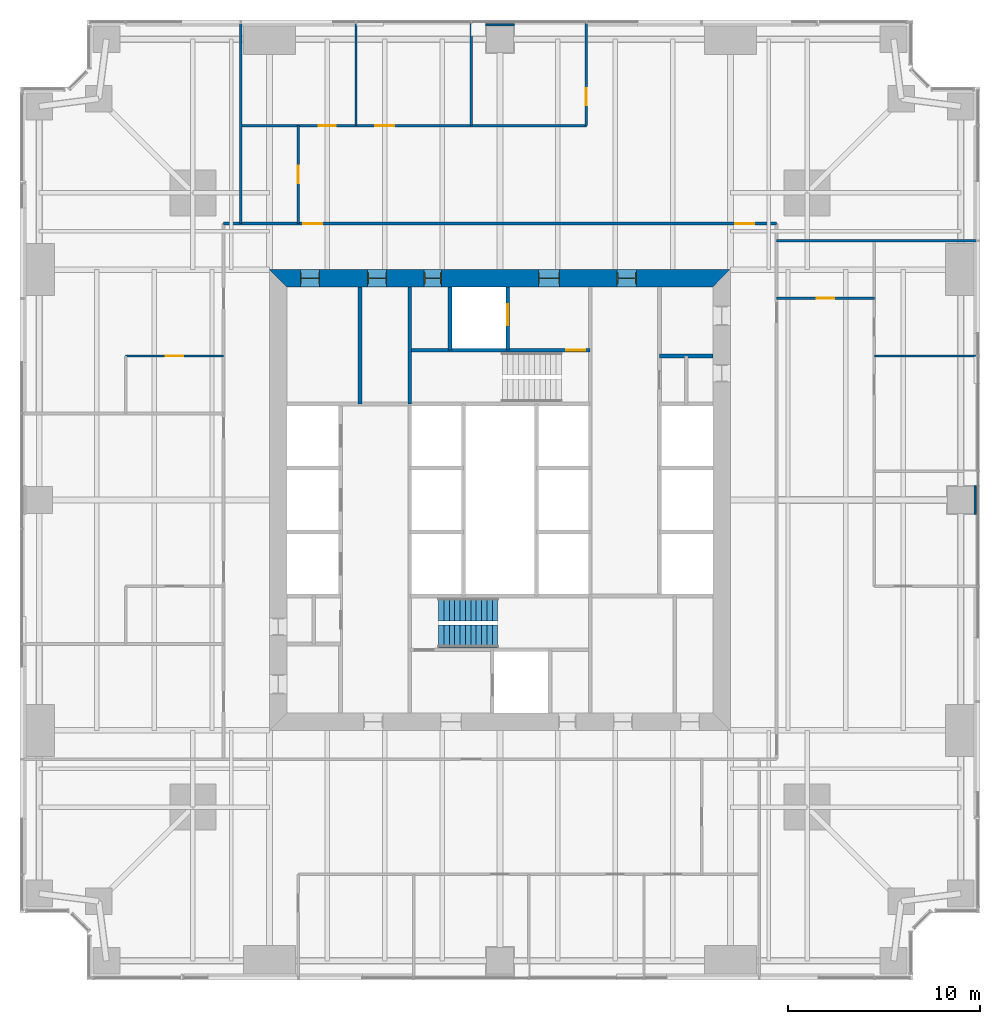
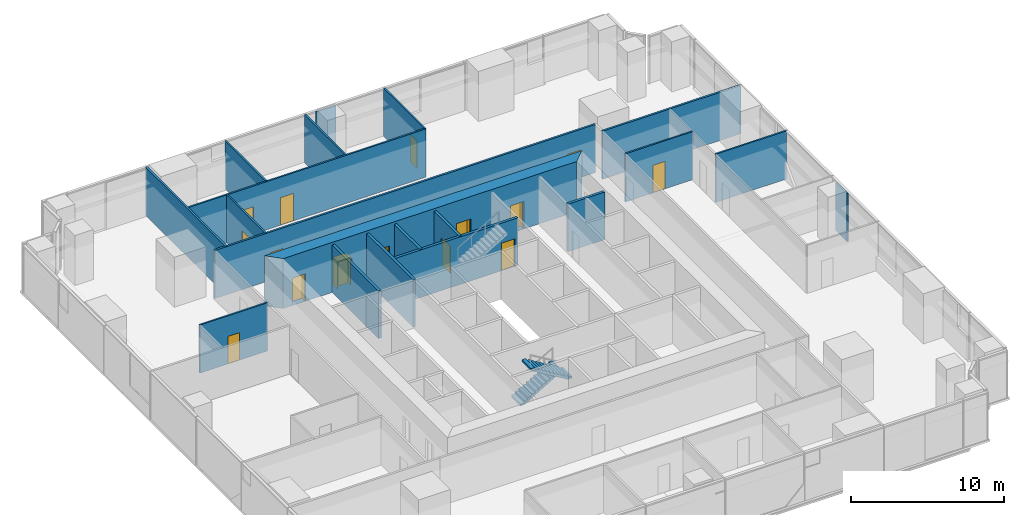
# One storey, part 11 of 16: 20 walls, 15 doors, 2 stair flights, 15 openings, 1 element without a shape of its own.
"""IFC4 building model written with IfcOpenShell, lengths in metres."""

from ifc_helpers import new_model, si_unit, direction, frame, frame_2d, origin, place, context, subcontext, project, spatial, polyline, rectangle, outline, extrude, material, layer, layer_set, type_object, element, fill, aggregate, save


model = new_model("IFC4")

# Units and contexts
model_context = context("Model", 3, precision=1e-05, world=origin(), true_north=direction((0.0, 1.0)))
body_context = subcontext(model_context, "Body", "Model", "MODEL_VIEW")
ifc_project = project(units=[si_unit("LENGTHUNIT", "METRE"), si_unit("AREAUNIT", "SQUARE_METRE"), si_unit("VOLUMEUNIT", "CUBIC_METRE"), si_unit("PLANEANGLEUNIT", "RADIAN"), si_unit("MASSUNIT", "GRAM", prefix="KILO")], contexts=[model_context])

# Site, building, storey
site_placement = place(None, origin())
site = spatial("IfcSite", under=ifc_project, at=site_placement, CompositionType="ELEMENT")
building_placement = place(site_placement, origin())
building = spatial("IfcBuilding", under=site, at=building_placement, Name="Fenwick Lantern Interchange", CompositionType="ELEMENT")
storey_placement = place(building_placement, frame((0.0, 0.0, 75.0)))
storey = spatial("IfcBuildingStorey", under=building, at=storey_placement, Name="L17", CompositionType="ELEMENT", Elevation=75.0)

# Walls
ifc_material_1 = material(Name="Fire-rated gypsum board encasement on steel studs, 2 hour", Category="steel")
ifc_layer_1 = layer(ifc_material_1, 1.5)
ifc_layer_set_1 = layer_set([ifc_layer_1], Name="COLUMN PIER 1500")
wall_type_1 = type_object("IfcWallType", Name="COLUMN PIER 1500", PredefinedType="PARTITIONING", material=ifc_layer_set_1)
for number, where, z_axis, x_axis, name in (
    (1, (49.800048828125, 25.0, 0.0), (0.0, 0.0, 1.0), (-1.0, 0.0, 0.0), "L17/W/PIER/CE3"),
    (2, (25.0, 49.800048828125, 0.0), (0.0, 0.0, 1.0), (0.0, -1.0, 0.0), "L17/W/PIER/CN3"),
):
    element("IfcWall", number, at=place(storey_placement, frame(where, z_axis=z_axis, x_axis=x_axis)), inside=storey, type_object=wall_type_1, Name=name, PredefinedType="PARTITIONING", context=body_context, shape_type="SweptSolid", body=[
        extrude(rectangle(XDim=0.10009765625, YDim=1.5, at=frame_2d((0.050048828125, 0.0))), origin(), (0.0, 0.0, 1.0), 3.85009765625),
    ])

# Wall, opening, door
ifc_material_2 = material(Name="Concrete masonry ASTM C90 Grade N", Category="masonry")
ifc_layer_2 = layer(ifc_material_2, 0.199951171875)
ifc_layer_set_2 = layer_set([ifc_layer_2], Name="Concrete masonry ASTM C90 Grade N")
wall_type_2 = type_object("IfcWallType", Name="CORE PARTITION 200", PredefinedType="PARTITIONING", material=ifc_layer_set_2)
wall_1_placement = place(storey_placement, frame((25.39990234375, 36.10009765625, 0.0), z_axis=(0.0, 0.0, 1.0), x_axis=(0.0, -1.0, 0.0)))
wall_1 = element("IfcWall", 3, at=wall_1_placement, inside=storey, type_object=wall_type_2, Name="L17/W/COREN/h1", PredefinedType="PARTITIONING", context=body_context, shape_type="SweptSolid", body=[
    extrude(rectangle(XDim=3.300048828125, YDim=0.199951171875, at=frame_2d((1.64990234375, 0.0))), origin(), (0.0, 0.0, 1.0), 3.800048828125),
])
opening_1_placement = place(wall_1_placement, frame((0.89990234375, 0.0, 0.0)))
opening_1 = element("IfcOpeningElement", 4, at=opening_1_placement, cuts=wall_1, Name="Opening LD-FL2", PredefinedType="OPENING", context=body_context, shape_type="SweptSolid", body=[
    extrude(rectangle(XDim=1.10009765625, YDim=2.199951171875, at=frame_2d((0.550048828125, 1.10009765625))), frame((0.0, 0.10986328125, 0.0), z_axis=(0.0, -1.0, 0.0), x_axis=(1.0, 0.0, 0.0)), (0.0, 0.0, 1.0), 0.219970703125),
])
ifc_material_3 = material(Name="Steel door and frame", Category="steel")
door_type_1 = type_object("IfcDoorType", Name="LIFT LANDING DOOR 1100 X 2200", OperationType="DOUBLE_DOOR_SLIDING", PredefinedType="DOOR", material=ifc_material_3)
door_1_placement = place(opening_1_placement, origin())
door_1 = element("IfcDoor", 5, at=door_1_placement, inside=storey, type_object=door_type_1, Name="Lift landing door FL2", OperationType="DOUBLE_DOOR_SLIDING", OverallHeight=2.199951171875, OverallWidth=1.10009765625, PredefinedType="DOOR", context=body_context, shape_type="SweptSolid", body=[
    extrude(rectangle(XDim=1.10009765625, YDim=2.199951171875, at=frame_2d((0.550048828125, 1.10009765625))), frame((0.0, 0.02490234375, 0.0), z_axis=(0.0, -1.0, 0.0), x_axis=(1.0, 0.0, 0.0)), (0.0, 0.0, 1.0), 0.050048828125),
])
fill(opening_1, door_1)

# Walls
wall_2_placement = place(storey_placement, frame((22.39990234375, 36.10009765625, 0.0), z_axis=(0.0, 0.0, 1.0), x_axis=(0.0, -1.0, 0.0)))
element("IfcWall", 6, at=wall_2_placement, inside=storey, type_object=wall_type_2, Name="L17/W/COREN/h2", PredefinedType="PARTITIONING", context=body_context, shape_type="SweptSolid", body=[
    extrude(rectangle(XDim=3.300048828125, YDim=0.199951171875, at=frame_2d((1.64990234375, 0.0))), origin(), (0.0, 0.0, 1.0), 3.800048828125),
])
wall_3_placement = place(storey_placement, frame((17.699951171875, 36.10009765625, 0.0), z_axis=(0.0, 0.0, 1.0), x_axis=(0.0, -1.0, 0.0)))
element("IfcWall", 7, at=wall_3_placement, inside=storey, type_object=wall_type_2, Name="L17/W/COREN/i2", PredefinedType="PARTITIONING", context=body_context, shape_type="SweptSolid", body=[
    extrude(rectangle(XDim=6.10009765625, YDim=0.199951171875, at=frame_2d((3.050048828125, 0.0))), origin(), (0.0, 0.0, 1.0), 3.800048828125),
])
wall_4_placement = place(storey_placement, frame((36.10009765625, 32.5, 0.0), z_axis=(0.0, 0.0, 1.0), x_axis=(-1.0, 0.0, 0.0)))
element("IfcWall", 8, at=wall_4_placement, inside=storey, type_object=wall_type_2, Name="L17/W/COREN/p1", PredefinedType="PARTITIONING", context=body_context, shape_type="SweptSolid", body=[
    extrude(rectangle(XDim=2.800048828125, YDim=0.199951171875, at=frame_2d((1.39990234375, 0.0))), origin(), (0.0, 0.0, 1.0), 3.800048828125),
])

# Wall, openings, doors
ifc_material_4 = material(Name="Concrete f'c 70 MPa", Category="concrete")
ifc_layer_3 = layer(ifc_material_4, 0.89990234375)
ifc_layer_set_3 = layer_set([ifc_layer_3], Name="CORE WALL 900")
wall_type_3 = type_object("IfcWallType", Name="CORE WALL 900", PredefinedType="SHEAR", material=ifc_layer_set_3)
wall_5_placement = place(storey_placement, frame((37.0, 36.550048828125, 0.0), z_axis=(0.0, 0.0, 1.0), x_axis=(-1.0, 0.0, 0.0)))
wall_5 = element("IfcWall", 9, at=wall_5_placement, inside=storey, type_object=wall_type_3, Name="L17/CORE/N", PredefinedType="SHEAR", context=body_context, shape_type="SweptSolid", body=[
    extrude(outline(polyline([(0.0, -0.449951171875), (24.0, -0.449951171875), (23.10009765625, 0.449951171875), (0.89990234375, 0.449951171875), (0.0, -0.449951171875)])), origin(), (0.0, 0.0, 1.0), 4.0),
])
opening_2_placement = place(wall_5_placement, frame((4.89990234375, 0.0, 0.0)))
opening_2 = element("IfcOpeningElement", 10, at=opening_2_placement, cuts=wall_5, Name="Opening L17-D010", PredefinedType="OPENING", context=body_context, shape_type="SweptSolid", body=[
    extrude(rectangle(XDim=1.0, YDim=2.199951171875, at=frame_2d((0.5, 1.10009765625))), frame((0.0, 0.4599609375, 0.0), z_axis=(0.0, -1.0, 0.0), x_axis=(1.0, 0.0, 0.0)), (0.0, 0.0, 1.0), 0.919921875),
])
opening_3_placement = place(wall_5_placement, frame((8.89990234375, 0.0, 0.0)))
opening_3 = element("IfcOpeningElement", 11, at=opening_3_placement, cuts=wall_5, Name="Opening L17-D011", PredefinedType="OPENING", context=body_context, shape_type="SweptSolid", body=[
    extrude(rectangle(XDim=1.10009765625, YDim=2.199951171875, at=frame_2d((0.550048828125, 1.10009765625))), frame((0.0, 0.4599609375, 0.0), z_axis=(0.0, -1.0, 0.0), x_axis=(1.0, 0.0, 0.0)), (0.0, 0.0, 1.0), 0.919921875),
])
opening_4_placement = place(wall_5_placement, frame((15.050048828125, 0.0, 0.0)))
opening_4 = element("IfcOpeningElement", 12, at=opening_4_placement, cuts=wall_5, Name="Opening L17-D013", PredefinedType="OPENING", context=body_context, shape_type="SweptSolid", body=[
    extrude(rectangle(XDim=0.89990234375, YDim=2.199951171875, at=frame_2d((0.449951171875, 1.10009765625))), frame((0.0, 0.4599609375, 0.0), z_axis=(0.0, -1.0, 0.0), x_axis=(1.0, 0.0, 0.0)), (0.0, 0.0, 1.0), 0.919921875),
])
opening_5_placement = place(wall_5_placement, frame((17.89990234375, 0.0, 0.0)))
opening_5 = element("IfcOpeningElement", 13, at=opening_5_placement, cuts=wall_5, Name="Opening L17-D014", PredefinedType="OPENING", context=body_context, shape_type="SweptSolid", body=[
    extrude(rectangle(XDim=1.0, YDim=2.199951171875, at=frame_2d((0.5, 1.10009765625))), frame((0.0, 0.4599609375, 0.0), z_axis=(0.0, -1.0, 0.0), x_axis=(1.0, 0.0, 0.0)), (0.0, 0.0, 1.0), 0.919921875),
])
opening_6_placement = place(wall_5_placement, frame((21.39990234375, 0.0, 0.0)))
opening_6 = element("IfcOpeningElement", 14, at=opening_6_placement, cuts=wall_5, Name="Opening L17-D015", PredefinedType="OPENING", context=body_context, shape_type="SweptSolid", body=[
    extrude(rectangle(XDim=1.0, YDim=2.199951171875, at=frame_2d((0.5, 1.10009765625))), frame((0.0, 0.4599609375, 0.0), z_axis=(0.0, -1.0, 0.0), x_axis=(1.0, 0.0, 0.0)), (0.0, 0.0, 1.0), 0.919921875),
])
door_type_2 = type_object("IfcDoorType", Name="CORE LOBBY DOOR 1000 X 2200", OperationType="SINGLE_SWING_LEFT", PredefinedType="DOOR", material=ifc_material_3)
door_2_placement = place(opening_2_placement, origin())
door_2 = element("IfcDoor", 15, at=door_2_placement, inside=storey, type_object=door_type_2, Name="Core lobby door", OperationType="SINGLE_SWING_LEFT", OverallHeight=2.199951171875, OverallWidth=1.0, PredefinedType="DOOR", context=body_context, shape_type="SweptSolid", body=[
    extrude(rectangle(XDim=1.0, YDim=2.199951171875, at=frame_2d((0.5, 1.10009765625))), frame((0.0, 0.02490234375, 0.0), z_axis=(0.0, -1.0, 0.0), x_axis=(1.0, 0.0, 0.0)), (0.0, 0.0, 1.0), 0.050048828125),
    extrude(outline(polyline([(0.0, 0.0), (0.0400390625, 0.0), (0.0400390625, 2.159912109375), (0.9599609375, 2.159912109375), (0.9599609375, 0.0), (1.0, 0.0), (1.0, 2.199951171875), (0.0, 2.199951171875), (0.0, 0.0)])), frame((0.0, 0.300048828125, 0.0), z_axis=(0.0, -1.0, 0.0), x_axis=(1.0, 0.0, 0.0)), (0.0, 0.0, 1.0), 0.60009765625),
])
fill(opening_2, door_2)
door_type_3 = type_object("IfcDoorType", Name="FIRE LOBBY DOOR 1100 X 2200", OperationType="SINGLE_SWING_LEFT", PredefinedType="DOOR", material=ifc_material_3)
door_3_placement = place(opening_3_placement, origin())
door_3 = element("IfcDoor", 16, at=door_3_placement, inside=storey, type_object=door_type_3, Name="Fire lobby door", OperationType="SINGLE_SWING_LEFT", OverallHeight=2.199951171875, OverallWidth=1.10009765625, PredefinedType="DOOR", context=body_context, shape_type="SweptSolid", body=[
    extrude(rectangle(XDim=1.10009765625, YDim=2.199951171875, at=frame_2d((0.550048828125, 1.10009765625))), frame((0.0, 0.02490234375, 0.0), z_axis=(0.0, -1.0, 0.0), x_axis=(1.0, 0.0, 0.0)), (0.0, 0.0, 1.0), 0.050048828125),
    extrude(outline(polyline([(0.0, 0.0), (0.0400390625, 0.0), (0.0400390625, 2.159912109375), (1.06005859375, 2.159912109375), (1.06005859375, 0.0), (1.10009765625, 0.0), (1.10009765625, 2.199951171875), (0.0, 2.199951171875), (0.0, 0.0)])), frame((0.0, 0.300048828125, 0.0), z_axis=(0.0, -1.0, 0.0), x_axis=(1.0, 0.0, 0.0)), (0.0, 0.0, 1.0), 0.60009765625),
])
fill(opening_3, door_3)
door_type_4 = type_object("IfcDoorType", Name="SERVICE DOOR 900 X 2200", OperationType="SINGLE_SWING_LEFT", PredefinedType="DOOR", material=ifc_material_3)
door_4_placement = place(opening_4_placement, origin())
door_4 = element("IfcDoor", 17, at=door_4_placement, inside=storey, type_object=door_type_4, Name="Service door", OperationType="SINGLE_SWING_LEFT", OverallHeight=2.199951171875, OverallWidth=0.89990234375, PredefinedType="DOOR", context=body_context, shape_type="SweptSolid", body=[
    extrude(rectangle(XDim=0.89990234375, YDim=2.199951171875, at=frame_2d((0.449951171875, 1.10009765625))), frame((0.0, 0.02490234375, 0.0), z_axis=(0.0, -1.0, 0.0), x_axis=(1.0, 0.0, 0.0)), (0.0, 0.0, 1.0), 0.050048828125),
    extrude(outline(polyline([(0.0, 0.0), (0.0400390625, 0.0), (0.0400390625, 2.159912109375), (0.85986328125, 2.159912109375), (0.85986328125, 0.0), (0.89990234375, 0.0), (0.89990234375, 2.199951171875), (0.0, 2.199951171875), (0.0, 0.0)])), frame((0.0, 0.300048828125, 0.0), z_axis=(0.0, -1.0, 0.0), x_axis=(1.0, 0.0, 0.0)), (0.0, 0.0, 1.0), 0.60009765625),
])
fill(opening_4, door_4)
ifc_material_5 = material(Name="Hardwood door and steel frame", Category="steel")
door_type_5 = type_object("IfcDoorType", Name="WC DOOR 1000 X 2200", OperationType="SINGLE_SWING_LEFT", PredefinedType="DOOR", material=ifc_material_5)
door_5_placement = place(opening_5_placement, origin())
door_5 = element("IfcDoor", 18, at=door_5_placement, inside=storey, type_object=door_type_5, Name="Wc door", OperationType="SINGLE_SWING_RIGHT", OverallHeight=2.199951171875, OverallWidth=1.0, PredefinedType="DOOR", context=body_context, shape_type="SweptSolid", body=[
    extrude(rectangle(XDim=1.0, YDim=2.199951171875, at=frame_2d((0.5, 1.10009765625))), frame((0.0, 0.02490234375, 0.0), z_axis=(0.0, -1.0, 0.0), x_axis=(1.0, 0.0, 0.0)), (0.0, 0.0, 1.0), 0.050048828125),
    extrude(outline(polyline([(0.0, 0.0), (0.0400390625, 0.0), (0.0400390625, 2.159912109375), (0.9599609375, 2.159912109375), (0.9599609375, 0.0), (1.0, 0.0), (1.0, 2.199951171875), (0.0, 2.199951171875), (0.0, 0.0)])), frame((0.0, 0.300048828125, 0.0), z_axis=(0.0, -1.0, 0.0), x_axis=(1.0, 0.0, 0.0)), (0.0, 0.0, 1.0), 0.60009765625),
])
fill(opening_5, door_5)
door_6_placement = place(opening_6_placement, origin())
door_6 = element("IfcDoor", 19, at=door_6_placement, inside=storey, type_object=door_type_5, Name="Wc door", OperationType="SINGLE_SWING_RIGHT", OverallHeight=2.199951171875, OverallWidth=1.0, PredefinedType="DOOR", context=body_context, shape_type="SweptSolid", body=[
    extrude(rectangle(XDim=1.0, YDim=2.199951171875, at=frame_2d((0.5, 1.10009765625))), frame((0.0, 0.02490234375, 0.0), z_axis=(0.0, -1.0, 0.0), x_axis=(1.0, 0.0, 0.0)), (0.0, 0.0, 1.0), 0.050048828125),
    extrude(outline(polyline([(0.0, 0.0), (0.0400390625, 0.0), (0.0400390625, 2.159912109375), (0.9599609375, 2.159912109375), (0.9599609375, 0.0), (1.0, 0.0), (1.0, 2.199951171875), (0.0, 2.199951171875), (0.0, 0.0)])), frame((0.0, 0.300048828125, 0.0), z_axis=(0.0, -1.0, 0.0), x_axis=(1.0, 0.0, 0.0)), (0.0, 0.0, 1.0), 0.60009765625),
])
fill(opening_6, door_6)

ifc_material_6 = material(Name="Gypsum board on steel studs, 1 hour", Category="steel")
ifc_layer_4 = layer(ifc_material_6, 0.14990234375)
ifc_layer_set_4 = layer_set([ifc_layer_4], Name="CORRIDOR WALL 150")
wall_type_4 = type_object("IfcWallType", Name="CORRIDOR WALL 150", PredefinedType="PARTITIONING", material=ifc_layer_set_4)
wall_6_placement = place(storey_placement, frame((39.39990234375, 39.39990234375, 0.0), z_axis=(0.0, 0.0, 1.0), x_axis=(-1.0, 0.0, 0.0)))
wall_6 = element("IfcWall", 20, at=wall_6_placement, inside=storey, type_object=wall_type_4, Name="L17/W/OFF/N/CW2", PredefinedType="PARTITIONING", context=body_context, shape_type="SweptSolid", body=[
    extrude(rectangle(XDim=28.7998046875, YDim=0.14990234375, at=frame_2d((14.39990234375, 0.0))), origin(), (0.0, 0.0, 1.0), 3.85009765625),
])
opening_7_placement = place(wall_6_placement, frame((1.14990234375, 0.0, 0.0)))
opening_7 = element("IfcOpeningElement", 21, at=opening_7_placement, cuts=wall_6, Name="Opening L17-D031", PredefinedType="OPENING", context=body_context, shape_type="SweptSolid", body=[
    extrude(rectangle(XDim=1.0, YDim=2.199951171875, at=frame_2d((0.5, 1.10009765625))), frame((0.0, 0.0849609375, 0.0), z_axis=(0.0, -1.0, 0.0), x_axis=(1.0, 0.0, 0.0)), (0.0, 0.0, 1.0), 0.169921875),
])
opening_8_placement = place(wall_6_placement, frame((23.64990234375, 0.0, 0.0)))
opening_8 = element("IfcOpeningElement", 22, at=opening_8_placement, cuts=wall_6, Name="Opening L17-D032", PredefinedType="OPENING", context=body_context, shape_type="SweptSolid", body=[
    extrude(rectangle(XDim=1.0, YDim=2.199951171875, at=frame_2d((0.5, 1.10009765625))), frame((0.0, 0.0849609375, 0.0), z_axis=(0.0, -1.0, 0.0), x_axis=(1.0, 0.0, 0.0)), (0.0, 0.0, 1.0), 0.169921875),
])
door_type_6 = type_object("IfcDoorType", Name="SUITE ENTRANCE DOOR 1000 X 2200", OperationType="SINGLE_SWING_LEFT", PredefinedType="DOOR", material=ifc_material_3)
door_7_placement = place(opening_7_placement, origin())
door_7 = element("IfcDoor", 23, at=door_7_placement, inside=storey, type_object=door_type_6, Name="Suite entrance door", OperationType="SINGLE_SWING_LEFT", OverallHeight=2.199951171875, OverallWidth=1.0, PredefinedType="DOOR", context=body_context, shape_type="SweptSolid", body=[
    extrude(rectangle(XDim=1.0, YDim=2.199951171875, at=frame_2d((0.5, 1.10009765625))), frame((0.0, 0.02490234375, 0.0), z_axis=(0.0, -1.0, 0.0), x_axis=(1.0, 0.0, 0.0)), (0.0, 0.0, 1.0), 0.050048828125),
])
fill(opening_7, door_7)
door_8_placement = place(opening_8_placement, origin())
door_8 = element("IfcDoor", 24, at=door_8_placement, inside=storey, type_object=door_type_6, Name="Suite entrance door", OperationType="SINGLE_SWING_RIGHT", OverallHeight=2.199951171875, OverallWidth=1.0, PredefinedType="DOOR", context=body_context, shape_type="SweptSolid", body=[
    extrude(rectangle(XDim=1.0, YDim=2.199951171875, at=frame_2d((0.5, 1.10009765625))), frame((0.0, 0.02490234375, 0.0), z_axis=(0.0, -1.0, 0.0), x_axis=(1.0, 0.0, 0.0)), (0.0, 0.0, 1.0), 0.050048828125),
])
fill(opening_8, door_8)

# Wall
ifc_material_7 = material(Name="Gypsum board on steel studs, acoustic", Category="steel")
ifc_layer_5 = layer(ifc_material_7, 0.125)
ifc_layer_set_5 = layer_set([ifc_layer_5], Name="OFFICE PARTITION 125")
wall_type_5 = type_object("IfcWallType", Name="OFFICE PARTITION 125", PredefinedType="PARTITIONING", material=ifc_layer_set_5)
wall_7_placement = place(storey_placement, frame((49.85009765625, 32.5, 0.0), z_axis=(0.0, 0.0, 1.0), x_axis=(-1.0, 0.0, 0.0)))
element("IfcWall", 25, at=wall_7_placement, inside=storey, type_object=wall_type_5, Name="L17/W/OFF/E/X325-1", PredefinedType="PARTITIONING", context=body_context, shape_type="SweptSolid", body=[
    extrude(rectangle(XDim=5.35009765625, YDim=0.125, at=frame_2d((2.675048828125, 0.0))), origin(), (0.0, 0.0, 1.0), 3.85009765625),
])

# Wall, opening, door
wall_8_placement = place(storey_placement, frame((44.5, 35.5, 0.0), z_axis=(0.0, 0.0, 1.0), x_axis=(-1.0, 0.0, 0.0)))
wall_8 = element("IfcWall", 26, at=wall_8_placement, inside=storey, type_object=wall_type_5, Name="L17/W/OFF/E/X355-1", PredefinedType="PARTITIONING", context=body_context, shape_type="SweptSolid", body=[
    extrude(rectangle(XDim=5.10009765625, YDim=0.125, at=frame_2d((2.550048828125, 0.0))), origin(), (0.0, 0.0, 1.0), 3.85009765625),
])
opening_9_placement = place(wall_8_placement, frame((2.10009765625, 0.0, 0.0)))
opening_9 = element("IfcOpeningElement", 27, at=opening_9_placement, cuts=wall_8, Name="Opening L17-D030", PredefinedType="OPENING", context=body_context, shape_type="SweptSolid", body=[
    extrude(rectangle(XDim=0.89990234375, YDim=2.199951171875, at=frame_2d((0.449951171875, 1.10009765625))), frame((0.0, 0.072509765625, 0.0), z_axis=(0.0, -1.0, 0.0), x_axis=(1.0, 0.0, 0.0)), (0.0, 0.0, 1.0), 0.14501953125),
])
door_type_7 = type_object("IfcDoorType", Name="OFFICE DOOR 900 X 2200", OperationType="SINGLE_SWING_LEFT", PredefinedType="DOOR", material=ifc_material_5)
door_9_placement = place(opening_9_placement, frame((0.89990234375, 0.0, 0.0), z_axis=(0.0, 0.0, 1.0), x_axis=(-1.0, 0.0, 0.0)))
door_9 = element("IfcDoor", 28, at=door_9_placement, inside=storey, type_object=door_type_7, Name="Office door", OperationType="SINGLE_SWING_RIGHT", OverallHeight=2.199951171875, OverallWidth=0.89990234375, PredefinedType="DOOR", context=body_context, shape_type="SweptSolid", body=[
    extrude(rectangle(XDim=0.89990234375, YDim=2.199951171875, at=frame_2d((0.449951171875, 1.10009765625))), frame((0.0, 0.02490234375, 0.0), z_axis=(0.0, -1.0, 0.0), x_axis=(1.0, 0.0, 0.0)), (0.0, 0.0, 1.0), 0.050048828125),
])
fill(opening_9, door_9)

wall_9_placement = place(storey_placement, frame((29.5, 49.85009765625, 0.0), z_axis=(0.0, 0.0, 1.0), x_axis=(0.0, -1.0, 0.0)))
wall_9 = element("IfcWall", 29, at=wall_9_placement, inside=storey, type_object=wall_type_5, Name="L17/W/OFF/N/X205-1", PredefinedType="PARTITIONING", context=body_context, shape_type="SweptSolid", body=[
    extrude(rectangle(XDim=5.35009765625, YDim=0.125, at=frame_2d((2.675048828125, 0.0))), origin(), (0.0, 0.0, 1.0), 3.85009765625),
])
opening_10_placement = place(wall_9_placement, frame((3.39990234375, 0.0, 0.0)))
opening_10 = element("IfcOpeningElement", 30, at=opening_10_placement, cuts=wall_9, Name="Opening L17-D033", PredefinedType="OPENING", context=body_context, shape_type="SweptSolid", body=[
    extrude(rectangle(XDim=0.89990234375, YDim=2.199951171875, at=frame_2d((0.449951171875, 1.10009765625))), frame((0.0, 0.072509765625, 0.0), z_axis=(0.0, -1.0, 0.0), x_axis=(1.0, 0.0, 0.0)), (0.0, 0.0, 1.0), 0.14501953125),
])
door_10_placement = place(opening_10_placement, frame((0.89990234375, 0.0, 0.0), z_axis=(0.0, 0.0, 1.0), x_axis=(-1.0, 0.0, 0.0)))
door_10 = element("IfcDoor", 31, at=door_10_placement, inside=storey, type_object=door_type_7, Name="Office door", OperationType="SINGLE_SWING_LEFT", OverallHeight=2.199951171875, OverallWidth=0.89990234375, PredefinedType="DOOR", context=body_context, shape_type="SweptSolid", body=[
    extrude(rectangle(XDim=0.89990234375, YDim=2.199951171875, at=frame_2d((0.449951171875, 1.10009765625))), frame((0.0, 0.02490234375, 0.0), z_axis=(0.0, -1.0, 0.0), x_axis=(1.0, 0.0, 0.0)), (0.0, 0.0, 1.0), 0.050048828125),
])
fill(opening_10, door_10)

# Walls
for number, where, z_axis, x_axis, name in (
    (32, (23.5, 49.85009765625, 0.0), (0.0, 0.0, 1.0), (0.0, -1.0, 0.0), "L17/W/OFF/N/X265-1"),
    (33, (17.5, 49.85009765625, 0.0), (0.0, 0.0, 1.0), (0.0, -1.0, 0.0), "L17/W/OFF/N/X325-1"),
):
    element("IfcWall", number, at=place(storey_placement, frame(where, z_axis=z_axis, x_axis=x_axis)), inside=storey, type_object=wall_type_5, Name=name, PredefinedType="PARTITIONING", context=body_context, shape_type="SweptSolid", body=[
        extrude(rectangle(XDim=5.35009765625, YDim=0.125, at=frame_2d((2.675048828125, 0.0))), origin(), (0.0, 0.0, 1.0), 3.85009765625),
    ])

# Wall, opening, door
wall_10_placement = place(storey_placement, frame((14.5, 44.5, 0.0), z_axis=(0.0, 0.0, 1.0), x_axis=(0.0, -1.0, 0.0)))
wall_10 = element("IfcWall", 34, at=wall_10_placement, inside=storey, type_object=wall_type_5, Name="L17/W/OFF/N/X355-1", PredefinedType="PARTITIONING", context=body_context, shape_type="SweptSolid", body=[
    extrude(rectangle(XDim=5.10009765625, YDim=0.125, at=frame_2d((2.550048828125, 0.0))), origin(), (0.0, 0.0, 1.0), 3.85009765625),
])
opening_11_placement = place(wall_10_placement, frame((2.10009765625, 0.0, 0.0)))
opening_11 = element("IfcOpeningElement", 35, at=opening_11_placement, cuts=wall_10, Name="Opening L17-D036", PredefinedType="OPENING", context=body_context, shape_type="SweptSolid", body=[
    extrude(rectangle(XDim=0.89990234375, YDim=2.199951171875, at=frame_2d((0.449951171875, 1.10009765625))), frame((0.0, 0.072509765625, 0.0), z_axis=(0.0, -1.0, 0.0), x_axis=(1.0, 0.0, 0.0)), (0.0, 0.0, 1.0), 0.14501953125),
])
door_11_placement = place(opening_11_placement, frame((0.89990234375, 0.0, 0.0), z_axis=(0.0, 0.0, 1.0), x_axis=(-1.0, 0.0, 0.0)))
door_11 = element("IfcDoor", 36, at=door_11_placement, inside=storey, type_object=door_type_7, Name="Office door", OperationType="SINGLE_SWING_RIGHT", OverallHeight=2.199951171875, OverallWidth=0.89990234375, PredefinedType="DOOR", context=body_context, shape_type="SweptSolid", body=[
    extrude(rectangle(XDim=0.89990234375, YDim=2.199951171875, at=frame_2d((0.449951171875, 1.10009765625))), frame((0.0, 0.02490234375, 0.0), z_axis=(0.0, -1.0, 0.0), x_axis=(1.0, 0.0, 0.0)), (0.0, 0.0, 1.0), 0.050048828125),
])
fill(opening_11, door_11)

# Wall, openings, doors
wall_11_placement = place(storey_placement, frame((29.5, 44.5, 0.0), z_axis=(0.0, 0.0, 1.0), x_axis=(-1.0, 0.0, 0.0)))
wall_11 = element("IfcWall", 37, at=wall_11_placement, inside=storey, type_object=wall_type_5, Name="L17/W/OFF/N/Y55-1", PredefinedType="PARTITIONING", context=body_context, shape_type="SweptSolid", body=[
    extrude(rectangle(XDim=18.0, YDim=0.125, at=frame_2d((9.0, 0.0))), origin(), (0.0, 0.0, 1.0), 3.85009765625),
])
opening_12_placement = place(wall_11_placement, frame((10.0, 0.0, 0.0)))
opening_12 = element("IfcOpeningElement", 38, at=opening_12_placement, cuts=wall_11, Name="Opening L17-D034", PredefinedType="OPENING", context=body_context, shape_type="SweptSolid", body=[
    extrude(rectangle(XDim=1.0, YDim=2.199951171875, at=frame_2d((0.5, 1.10009765625))), frame((0.0, 0.072509765625, 0.0), z_axis=(0.0, -1.0, 0.0), x_axis=(1.0, 0.0, 0.0)), (0.0, 0.0, 1.0), 0.14501953125),
])
opening_13_placement = place(wall_11_placement, frame((13.050048828125, 0.0, 0.0)))
opening_13 = element("IfcOpeningElement", 39, at=opening_13_placement, cuts=wall_11, Name="Opening L17-D035", PredefinedType="OPENING", context=body_context, shape_type="SweptSolid", body=[
    extrude(rectangle(XDim=0.89990234375, YDim=2.199951171875, at=frame_2d((0.449951171875, 1.10009765625))), frame((0.0, 0.072509765625, 0.0), z_axis=(0.0, -1.0, 0.0), x_axis=(1.0, 0.0, 0.0)), (0.0, 0.0, 1.0), 0.14501953125),
])
door_type_8 = type_object("IfcDoorType", Name="MEETING ROOM DOOR 1000 X 2200", OperationType="SINGLE_SWING_LEFT", PredefinedType="DOOR", material=ifc_material_5)
door_12_placement = place(opening_12_placement, frame((1.0, 0.0, 0.0), z_axis=(0.0, 0.0, 1.0), x_axis=(-1.0, 0.0, 0.0)))
door_12 = element("IfcDoor", 40, at=door_12_placement, inside=storey, type_object=door_type_8, Name="Meeting room door", OperationType="SINGLE_SWING_LEFT", OverallHeight=2.199951171875, OverallWidth=1.0, PredefinedType="DOOR", context=body_context, shape_type="SweptSolid", body=[
    extrude(rectangle(XDim=1.0, YDim=2.199951171875, at=frame_2d((0.5, 1.10009765625))), frame((0.0, 0.02490234375, 0.0), z_axis=(0.0, -1.0, 0.0), x_axis=(1.0, 0.0, 0.0)), (0.0, 0.0, 1.0), 0.050048828125),
])
fill(opening_12, door_12)
door_13_placement = place(opening_13_placement, frame((0.89990234375, 0.0, 0.0), z_axis=(0.0, 0.0, 1.0), x_axis=(-1.0, 0.0, 0.0)))
door_13 = element("IfcDoor", 41, at=door_13_placement, inside=storey, type_object=door_type_7, Name="Office door", OperationType="SINGLE_SWING_RIGHT", OverallHeight=2.199951171875, OverallWidth=0.89990234375, PredefinedType="DOOR", context=body_context, shape_type="SweptSolid", body=[
    extrude(rectangle(XDim=0.89990234375, YDim=2.199951171875, at=frame_2d((0.449951171875, 1.10009765625))), frame((0.0, 0.02490234375, 0.0), z_axis=(0.0, -1.0, 0.0), x_axis=(1.0, 0.0, 0.0)), (0.0, 0.0, 1.0), 0.050048828125),
])
fill(opening_13, door_13)

# Wall, opening, door
wall_12_placement = place(storey_placement, frame((5.5, 32.5, 0.0), z_axis=(0.0, 0.0, 1.0), x_axis=(1.0, 0.0, 0.0)))
wall_12 = element("IfcWall", 42, at=wall_12_placement, inside=storey, type_object=wall_type_5, Name="L17/W/OFF/W/X175-1", PredefinedType="PARTITIONING", context=body_context, shape_type="SweptSolid", body=[
    extrude(rectangle(XDim=5.10009765625, YDim=0.125, at=frame_2d((2.550048828125, 0.0))), origin(), (0.0, 0.0, 1.0), 3.85009765625),
])
opening_14_placement = place(wall_12_placement, frame((2.10009765625, 0.0, 0.0)))
opening_14 = element("IfcOpeningElement", 43, at=opening_14_placement, cuts=wall_12, Name="Opening L17-D038", PredefinedType="OPENING", context=body_context, shape_type="SweptSolid", body=[
    extrude(rectangle(XDim=0.89990234375, YDim=2.199951171875, at=frame_2d((0.449951171875, 1.10009765625))), frame((0.0, 0.072509765625, 0.0), z_axis=(0.0, -1.0, 0.0), x_axis=(1.0, 0.0, 0.0)), (0.0, 0.0, 1.0), 0.14501953125),
])
door_14_placement = place(opening_14_placement, frame((0.89990234375, 0.0, 0.0), z_axis=(0.0, 0.0, 1.0), x_axis=(-1.0, 0.0, 0.0)))
door_14 = element("IfcDoor", 44, at=door_14_placement, inside=storey, type_object=door_type_7, Name="Office door", OperationType="SINGLE_SWING_RIGHT", OverallHeight=2.199951171875, OverallWidth=0.89990234375, PredefinedType="DOOR", context=body_context, shape_type="SweptSolid", body=[
    extrude(rectangle(XDim=0.89990234375, YDim=2.199951171875, at=frame_2d((0.449951171875, 1.10009765625))), frame((0.0, 0.02490234375, 0.0), z_axis=(0.0, -1.0, 0.0), x_axis=(1.0, 0.0, 0.0)), (0.0, 0.0, 1.0), 0.050048828125),
])
fill(opening_14, door_14)

ifc_material_8 = material(Name="Concrete f'c 45 MPa", Category="concrete")
ifc_layer_6 = layer(ifc_material_8, 0.199951171875)
ifc_layer_set_6 = layer_set([ifc_layer_6], Name="STAIR CORE WALL 200")
wall_type_6 = type_object("IfcWallType", Name="STAIR CORE WALL 200", PredefinedType="SOLIDWALL", material=ifc_layer_set_6)
wall_13_placement = place(storey_placement, frame((29.699951171875, 32.800048828125, 0.0), z_axis=(0.0, 0.0, 1.0), x_axis=(-1.0, 0.0, 0.0)))
wall_13 = element("IfcWall", 45, at=wall_13_placement, inside=storey, type_object=wall_type_6, Name="L17/W/COREN/g1", PredefinedType="SOLIDWALL", context=body_context, shape_type="SweptSolid", body=[
    extrude(rectangle(XDim=9.39990234375, YDim=0.199951171875, at=frame_2d((4.699951171875, 0.0))), origin(), (0.0, 0.0, 1.0), 3.800048828125),
])
opening_15_placement = place(wall_13_placement, frame((0.25, 0.0, 0.0)))
opening_15 = element("IfcOpeningElement", 46, at=opening_15_placement, cuts=wall_13, Name="Opening L17-D012", PredefinedType="OPENING", context=body_context, shape_type="SweptSolid", body=[
    extrude(rectangle(XDim=1.0, YDim=2.199951171875, at=frame_2d((0.5, 1.10009765625))), frame((0.0, 0.10986328125, 0.0), z_axis=(0.0, -1.0, 0.0), x_axis=(1.0, 0.0, 0.0)), (0.0, 0.0, 1.0), 0.219970703125),
])
door_type_9 = type_object("IfcDoorType", Name="STAIR DOOR 1000 X 2200", OperationType="SINGLE_SWING_LEFT", PredefinedType="DOOR", material=ifc_material_3)
door_15_placement = place(opening_15_placement, origin())
door_15 = element("IfcDoor", 47, at=door_15_placement, inside=storey, type_object=door_type_9, Name="Stair door", OperationType="SINGLE_SWING_LEFT", OverallHeight=2.199951171875, OverallWidth=1.0, PredefinedType="DOOR", context=body_context, shape_type="SweptSolid", body=[
    extrude(rectangle(XDim=1.0, YDim=2.199951171875, at=frame_2d((0.5, 1.10009765625))), frame((0.0, 0.02490234375, 0.0), z_axis=(0.0, -1.0, 0.0), x_axis=(1.0, 0.0, 0.0)), (0.0, 0.0, 1.0), 0.050048828125),
])
fill(opening_15, door_15)

# Walls
wall_14_placement = place(storey_placement, frame((20.300048828125, 36.10009765625, 0.0), z_axis=(0.0, 0.0, 1.0), x_axis=(0.0, -1.0, 0.0)))
element("IfcWall", 48, at=wall_14_placement, inside=storey, type_object=wall_type_6, Name="L17/W/COREN/i1", PredefinedType="SOLIDWALL", context=body_context, shape_type="SweptSolid", body=[
    extrude(rectangle(XDim=6.10009765625, YDim=0.199951171875, at=frame_2d((3.050048828125, 0.0))), origin(), (0.0, 0.0, 1.0), 3.800048828125),
])
ifc_material_9 = material(Name="Gypsum board on steel studs, 1 hour acoustic", Category="steel")
ifc_layer_7 = layer(ifc_material_9, 0.14990234375)
ifc_layer_set_7 = layer_set([ifc_layer_7], Name="TENANT WALL 150")
wall_type_7 = type_object("IfcWallType", Name="TENANT WALL 150", PredefinedType="PARTITIONING", material=ifc_layer_set_7)
for number, where, z_axis, x_axis, name in (
    (49, (49.85009765625, 38.5, 0.0), (0.0, 0.0, 1.0), (-1.0, 0.0, 0.0), "L17/W/OFF/N/BACK"),
    (50, (11.5, 49.85009765625, 0.0), (0.0, 0.0, 1.0), (0.0, -1.0, 0.0), "L17/W/OFF/W/BACK"),
):
    element("IfcWall", number, at=place(storey_placement, frame(where, z_axis=z_axis, x_axis=x_axis)), inside=storey, type_object=wall_type_7, Name=name, PredefinedType="PARTITIONING", context=body_context, shape_type="SweptSolid", body=[
        extrude(rectangle(XDim=10.4501953125, YDim=0.14990234375, at=frame_2d((5.22509765625, 0.0))), origin(), (0.0, 0.0, 1.0), 3.85009765625),
    ])

# Stair, stair flights
ifc_material_10 = material(Name="Precast concrete f'c 35 MPa", Category="concrete")
stair_type = type_object("IfcStairType", Name="EXIT STAIR 1200", PredefinedType="HALF_TURN_STAIR", material=ifc_material_10)
stair_placement = place(storey_placement, origin())
stair = element("IfcStair", 51, at=stair_placement, inside=storey, type_object=stair_type, Name="Exit stair ST1", PredefinedType="HALF_TURN_STAIR")
stair_flight_type = type_object("IfcStairFlightType", Name="STAIR FLIGHT 1200", PredefinedType="STRAIGHT", material=ifc_material_10)
stair_flight_1_placement = place(storey_placement, frame((21.800048828125, 19.300048828125, 0.0), z_axis=(0.0, 0.0, 1.0), x_axis=(1.0, 0.0, 0.0)))
stair_flight_1 = element("IfcStairFlight", 52, at=stair_flight_1_placement, type_object=stair_flight_type, Name="ST1 flight 1", NumberOfRisers=12, NumberOfTreads=11, PredefinedType="STRAIGHT", RiserHeight=0.166666667, TreadLength=0.28, context=body_context, shape_type="SweptSolid", body=[
    extrude(outline(polyline([(0.0, 0.0), (0.0, 0.166748046875), (0.280029296875, 0.166748046875), (0.280029296875, 0.333251953125), (0.56005859375, 0.333251953125), (0.56005859375, 0.5), (0.840087890625, 0.5), (0.840087890625, 0.666748046875), (1.1201171875, 0.666748046875), (1.1201171875, 0.833251953125), (1.39990234375, 0.833251953125), (1.39990234375, 1.0), (1.679931640625, 1.0), (1.679931640625, 1.166748046875), (1.9599609375, 1.166748046875), (1.9599609375, 1.333251953125), (2.239990234375, 1.333251953125), (2.239990234375, 1.5), (2.52001953125, 1.5), (2.52001953125, 1.666748046875), (2.800048828125, 1.666748046875), (2.800048828125, 1.833251953125), (3.080078125, 1.833251953125), (3.080078125, 2.0), (3.080078125, 1.658935546875), (0.29296875, 0.0), (0.0, 0.0)])), frame((0.0, 0.60009765625, 0.0), z_axis=(0.0, -1.0, 0.0), x_axis=(1.0, 0.0, 0.0)), (0.0, 0.0, 1.0), 1.199951171875),
])
stair_flight_2_placement = place(storey_placement, frame((24.8798828125, 17.89990234375, 2.0), z_axis=(0.0, 0.0, 1.0), x_axis=(-1.0, 0.0, 0.0)))
stair_flight_2 = element("IfcStairFlight", 53, at=stair_flight_2_placement, type_object=stair_flight_type, Name="ST1 flight 2", NumberOfRisers=12, NumberOfTreads=11, PredefinedType="STRAIGHT", RiserHeight=0.166666667, TreadLength=0.28, context=body_context, shape_type="SweptSolid", body=[
    extrude(outline(polyline([(0.0, 0.0), (0.0, 0.166748046875), (0.280029296875, 0.166748046875), (0.280029296875, 0.333251953125), (0.56005859375, 0.333251953125), (0.56005859375, 0.5), (0.840087890625, 0.5), (0.840087890625, 0.666748046875), (1.1201171875, 0.666748046875), (1.1201171875, 0.833251953125), (1.39990234375, 0.833251953125), (1.39990234375, 1.0), (1.679931640625, 1.0), (1.679931640625, 1.166748046875), (1.9599609375, 1.166748046875), (1.9599609375, 1.333251953125), (2.239990234375, 1.333251953125), (2.239990234375, 1.5), (2.52001953125, 1.5), (2.52001953125, 1.666748046875), (2.800048828125, 1.666748046875), (2.800048828125, 1.833251953125), (3.080078125, 1.833251953125), (3.080078125, 2.0), (3.080078125, 1.658935546875), (0.29296875, 0.0), (0.0, 0.0)])), frame((0.0, 0.60009765625, 0.0), z_axis=(0.0, -1.0, 0.0), x_axis=(1.0, 0.0, 0.0)), (0.0, 0.0, 1.0), 1.199951171875),
])
aggregate(stair, [stair_flight_1, stair_flight_2])

save(model, "model.ifc")
